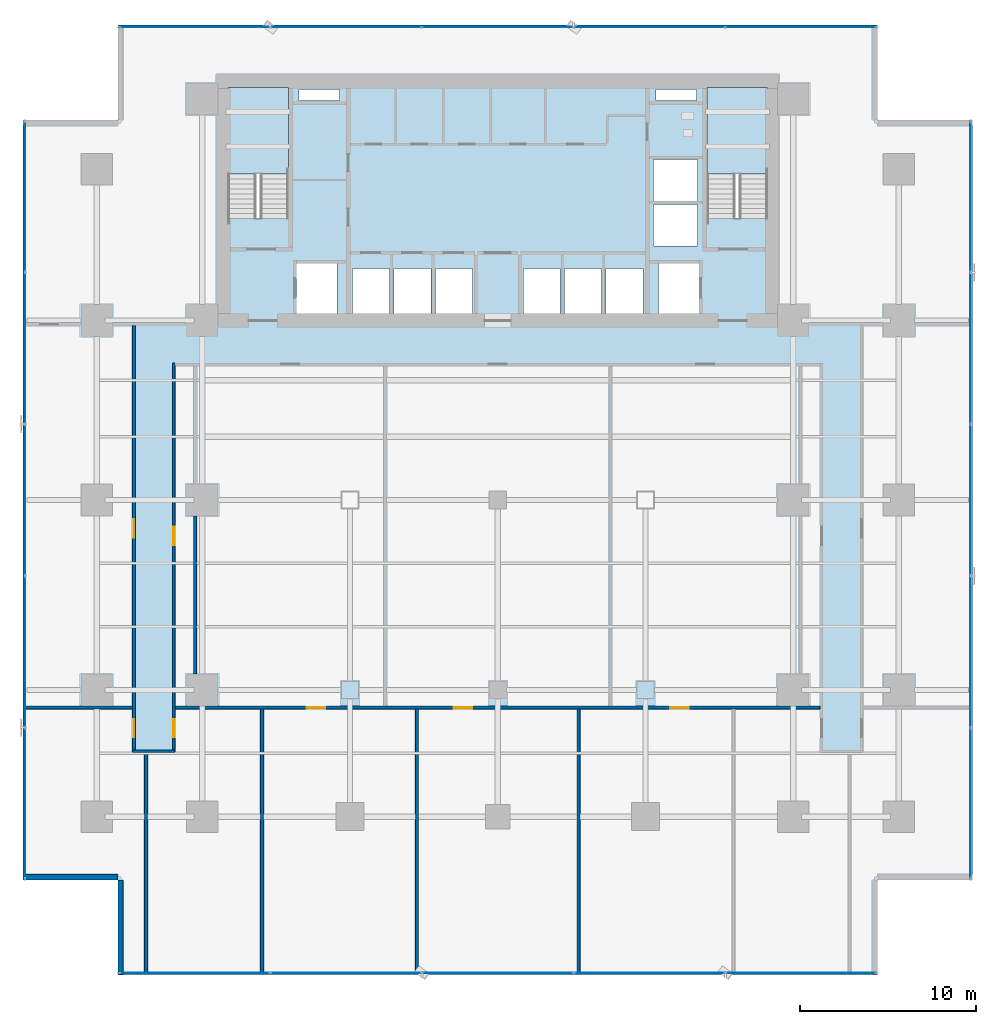
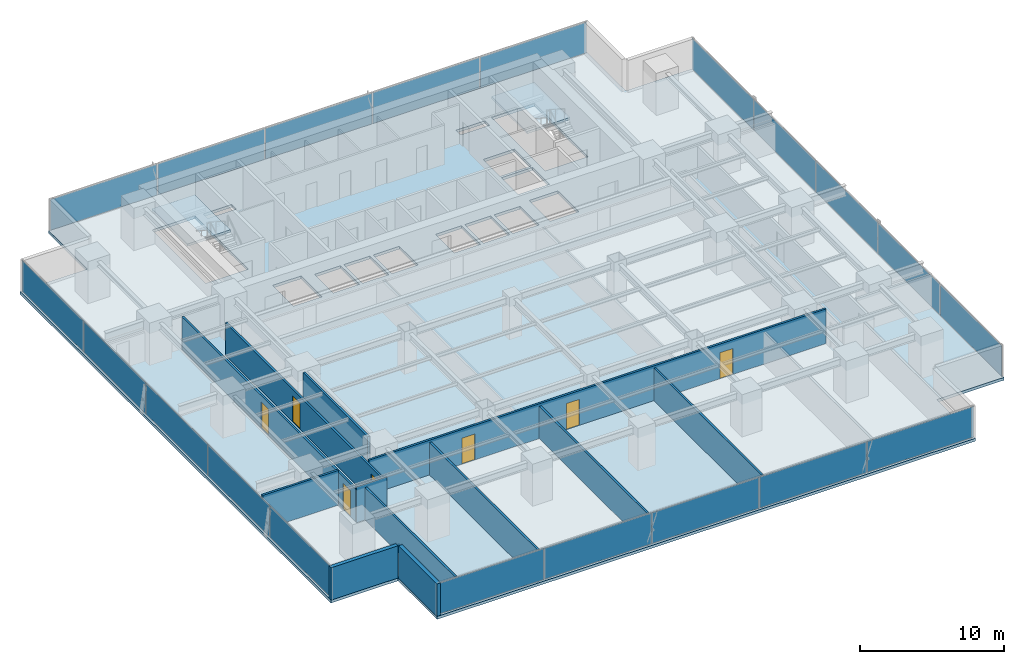
# One storey, part 24 of 34: 20 plates, 12 walls, 7 doors, 3 slabs, 7 openings, 6 elements without a shape of their own.
"""IFC4 building model written with IfcOpenShell, lengths in metres."""

from ifc_helpers import new_model, si_unit, direction, frame, frame_2d, origin, origin_2d, place, context, subcontext, project, spatial, polyline, rectangle, outline, extrude, source, transform, mapped, material, layer, layer_set, type_object, element, fill, aggregate, save


model = new_model("IFC4")

# Units and contexts
model_context = context("Model", 3, precision=1e-05, world=origin(), true_north=direction((0.0, 1.0)))
body_context = subcontext(model_context, "Body", "Model", "MODEL_VIEW")
ifc_project = project(units=[si_unit("LENGTHUNIT", "METRE"), si_unit("AREAUNIT", "SQUARE_METRE"), si_unit("VOLUMEUNIT", "CUBIC_METRE"), si_unit("PLANEANGLEUNIT", "RADIAN"), si_unit("MASSUNIT", "GRAM", prefix="KILO")], contexts=[model_context])

# Site, building, storey
site_placement = place(None, origin())
site = spatial("IfcSite", under=ifc_project, at=site_placement, CompositionType="ELEMENT")
building_placement = place(site_placement, origin())
building = spatial("IfcBuilding", under=site, at=building_placement, Name="Sumidabori Civic Tower", CompositionType="ELEMENT")
storey_placement = place(building_placement, frame((0.0, 0.0, 56.0)))
storey = spatial("IfcBuildingStorey", under=building, at=storey_placement, Name="L14", CompositionType="ELEMENT", Elevation=56.0)

# Stair, slab
ifc_material_1 = material(Name="Concrete C40/50", Category="concrete")
stair_type = type_object("IfcStairType", Name="ST-CORE-1600", PredefinedType="HALF_TURN_STAIR", material=ifc_material_1)
stair_1_placement = place(storey_placement, origin())
stair_1 = element("IfcStair", 1, at=stair_1_placement, inside=storey, type_object=stair_type, Name="L14 ST-1", PredefinedType="HALF_TURN_STAIR")
ifc_layer_1 = layer(ifc_material_1, 0.199951171875, Name="Concrete C40/50")
ifc_layer_set_1 = layer_set([ifc_layer_1], Name="Concrete C40/50")
slab_type_1 = type_object("IfcSlabType", Name="SL-LAND-200", PredefinedType="LANDING", material=ifc_layer_set_1)
slab_1_placement = place(storey_placement, frame((0.0, 0.0, 1.60009765625)))
slab_1 = element("IfcSlab", 2, at=slab_1_placement, type_object=slab_type_1, Name="ST-1 landing 1", PredefinedType="LANDING", context=body_context, shape_type="SweptSolid", body=[
    extrude(outline(polyline([(-11.89990234375, 18.52001953125), (-11.89990234375, 23.449951171875), (-15.340087890625, 23.449951171875), (-15.340087890625, 18.52001953125), (-11.89990234375, 18.52001953125)])), origin(), (0.0, 0.0, 1.0), 0.199951171875),
])
aggregate(stair_1, [slab_1])

stair_2_placement = place(storey_placement, origin())
stair_2 = element("IfcStair", 3, at=stair_2_placement, inside=storey, type_object=stair_type, Name="L14 ST-2", PredefinedType="HALF_TURN_STAIR")
slab_2_placement = place(storey_placement, frame((0.0, 0.0, 1.60009765625)))
slab_2 = element("IfcSlab", 4, at=slab_2_placement, type_object=slab_type_1, Name="ST-2 landing 1", PredefinedType="LANDING", context=body_context, shape_type="SweptSolid", body=[
    extrude(outline(polyline([(15.340087890625, 18.52001953125), (15.340087890625, 23.449951171875), (11.89990234375, 23.449951171875), (11.89990234375, 18.52001953125), (15.340087890625, 18.52001953125)])), origin(), (0.0, 0.0, 1.0), 0.199951171875),
])
aggregate(stair_2, [slab_2])

# Slab
ifc_layer_2 = layer(ifc_material_1, 0.239990234375, Name="Concrete C40/50")
ifc_layer_set_2 = layer_set([ifc_layer_2], Name="Concrete C40/50")
slab_type_2 = type_object("IfcSlabType", Name="SL-Z1-240", PredefinedType="FLOOR", material=ifc_layer_set_2)
slab_3_placement = place(storey_placement, frame((0.0, 0.0, -0.239990234375)))
element("IfcSlab", 5, at=slab_3_placement, inside=storey, type_object=slab_type_2, Name="Structural Slab L14", PredefinedType="FLOOR", context=body_context, shape_type="SweptSolid", body=[
    extrude(outline(polyline([(-21.60009765625, -27.0), (21.60009765625, -27.0), (21.60009765625, -21.60009765625), (27.0, -21.60009765625), (27.0, 21.60009765625), (21.60009765625, 21.60009765625), (21.60009765625, 27.0), (-21.60009765625, 27.0), (-21.60009765625, 21.60009765625), (-27.0, 21.60009765625), (-27.0, -21.60009765625), (-21.60009765625, -21.60009765625), (-21.60009765625, -27.0)]), holes=[polyline([(-11.89990234375, 16.0), (-11.89990234375, 23.449951171875), (-15.340087890625, 23.449951171875), (-15.340087890625, 16.0), (-11.89990234375, 16.0)]), polyline([(15.340087890625, 16.0), (15.340087890625, 23.449951171875), (11.89990234375, 23.449951171875), (11.89990234375, 16.0), (15.340087890625, 16.0)]), polyline([(-11.449951171875, 10.550048828125), (-9.14990234375, 10.550048828125), (-9.14990234375, 13.449951171875), (-11.449951171875, 13.449951171875), (-11.449951171875, 10.550048828125)]), polyline([(9.14990234375, 10.550048828125), (11.449951171875, 10.550048828125), (11.449951171875, 13.449951171875), (9.14990234375, 13.449951171875), (9.14990234375, 10.550048828125)]), polyline([(-8.25, 10.550048828125), (-6.14990234375, 10.550048828125), (-6.14990234375, 13.14990234375), (-8.25, 13.14990234375), (-8.25, 10.550048828125)]), polyline([(-5.89990234375, 10.550048828125), (-3.800048828125, 10.550048828125), (-3.800048828125, 13.14990234375), (-5.89990234375, 13.14990234375), (-5.89990234375, 10.550048828125)]), polyline([(-3.550048828125, 10.550048828125), (-1.449951171875, 10.550048828125), (-1.449951171875, 13.14990234375), (-3.550048828125, 13.14990234375), (-3.550048828125, 10.550048828125)]), polyline([(1.449951171875, 10.550048828125), (3.550048828125, 10.550048828125), (3.550048828125, 13.14990234375), (1.449951171875, 13.14990234375), (1.449951171875, 10.550048828125)]), polyline([(3.800048828125, 10.550048828125), (5.89990234375, 10.550048828125), (5.89990234375, 13.14990234375), (3.800048828125, 13.14990234375), (3.800048828125, 10.550048828125)]), polyline([(6.14990234375, 10.550048828125), (8.25, 10.550048828125), (8.25, 13.14990234375), (6.14990234375, 13.14990234375), (6.14990234375, 10.550048828125)]), polyline([(8.85009765625, 14.449951171875), (11.35009765625, 14.449951171875), (11.35009765625, 16.800048828125), (8.85009765625, 16.800048828125), (8.85009765625, 14.449951171875)]), polyline([(8.85009765625, 17.0), (11.35009765625, 17.0), (11.35009765625, 19.35009765625), (8.85009765625, 19.35009765625), (8.85009765625, 17.0)]), polyline([(-11.300048828125, 22.719970703125), (-9.0, 22.719970703125), (-9.0, 23.35009765625), (-11.300048828125, 23.35009765625), (-11.300048828125, 22.719970703125)]), polyline([(9.0, 22.719970703125), (11.300048828125, 22.719970703125), (11.300048828125, 23.35009765625), (9.0, 23.35009765625), (9.0, 22.719970703125)])]), origin(), (0.0, 0.0, 1.0), 0.239990234375),
])

# Curtain wall, plates
ifc_material_2 = material(Name="Anodised Bronze Aluminium AW-6063-T6", Category="aluminium")
ifc_layer_3 = layer(ifc_material_2, 0.179931640625, Name="Anodised Bronze Aluminium AW-6063-T6")
ifc_layer_set_3 = layer_set([ifc_layer_3], Name="Anodised Bronze Aluminium AW-6063-T6")
curtain_wall_type = type_object("IfcCurtainWallType", Name="CW-SYS-2", PredefinedType="NOTDEFINED", material=ifc_layer_set_3)
curtain_wall_1_placement = place(storey_placement, origin())
curtain_wall_1 = element("IfcCurtainWall", 6, at=curtain_wall_1_placement, inside=storey, type_object=curtain_wall_type, Name="Curtain Wall CW:L14:R01", PredefinedType="NOTDEFINED")
ifc_material_3 = material(Name="Low-E Solar-Control Vision Glazing", Category="glass")
ifc_layer_4 = layer(ifc_material_3, 0.028076171875, Name="Low-E Solar-Control Vision Glazing")
ifc_layer_set_4 = layer_set([ifc_layer_4], Name="Low-E Solar-Control Vision Glazing")
plate_type = type_object("IfcPlateType", Name="CW-PNL-28", PredefinedType="CURTAIN_PANEL", material=ifc_layer_set_4)
shared_shape_1 = source(origin(), body_context, "Body", "SweptSolid", [
    extrude(rectangle(XDim=8.52294921875, YDim=0.028076171875, at=origin_2d()), origin(), (0.0, 0.0, 1.0), 2.610107421875),
])
plate_1_placement = place(storey_placement, frame((-17.238525390625, -26.8798828125, 0.06494140625), z_axis=(0.0, 0.0, 1.0), x_axis=(1.0, 0.0, 0.0)))
plate_1 = element("IfcPlate", 7, at=plate_1_placement, type_object=plate_type, Name="CW-2 panel 1.1", PredefinedType="CURTAIN_PANEL", context=body_context, shape_type="MappedRepresentation", body=[
    mapped(shared_shape_1, transform((0.0, 0.0, 0.0), x_axis=(1.0, 0.0, 0.0), y_axis=(0.0, 1.0, 0.0), z_axis=(0.0, 0.0, 1.0), scale=1.0)),
])
plate_2_placement = place(storey_placement, frame((17.238525390625, -26.8798828125, 0.06494140625), z_axis=(0.0, 0.0, 1.0), x_axis=(1.0, 0.0, 0.0)))
plate_2 = element("IfcPlate", 8, at=plate_2_placement, type_object=plate_type, Name="CW-2 panel 5.1", PredefinedType="CURTAIN_PANEL", context=body_context, shape_type="MappedRepresentation", body=[
    mapped(shared_shape_1, transform((0.0, 0.0, 0.0), x_axis=(1.0, 0.0, 0.0), y_axis=(0.0, 1.0, 0.0), z_axis=(0.0, 0.0, 1.0), scale=1.0)),
])

curtain_wall_2_placement = place(storey_placement, origin())
curtain_wall_2 = element("IfcCurtainWall", 9, at=curtain_wall_2_placement, inside=storey, type_object=curtain_wall_type, Name="Curtain Wall CW:L14:R04", PredefinedType="NOTDEFINED")
plate_3_placement = place(storey_placement, frame((26.8798828125, -17.238525390625, 0.06494140625), z_axis=(0.0, 0.0, 1.0), x_axis=(0.0, 1.0, 0.0)))
plate_3 = element("IfcPlate", 10, at=plate_3_placement, type_object=plate_type, Name="CW-2 panel 1.1", PredefinedType="CURTAIN_PANEL", context=body_context, shape_type="MappedRepresentation", body=[
    mapped(shared_shape_1, transform((0.0, 0.0, 0.0), x_axis=(1.0, 0.0, 0.0), y_axis=(0.0, 1.0, 0.0), z_axis=(0.0, 0.0, 1.0), scale=1.0)),
])
plate_4_placement = place(storey_placement, frame((26.8798828125, 17.238525390625, 0.06494140625), z_axis=(0.0, 0.0, 1.0), x_axis=(0.0, 1.0, 0.0)))
plate_4 = element("IfcPlate", 11, at=plate_4_placement, type_object=plate_type, Name="CW-2 panel 5.1", PredefinedType="CURTAIN_PANEL", context=body_context, shape_type="MappedRepresentation", body=[
    mapped(shared_shape_1, transform((0.0, 0.0, 0.0), x_axis=(1.0, 0.0, 0.0), y_axis=(0.0, 1.0, 0.0), z_axis=(0.0, 0.0, 1.0), scale=1.0)),
])

curtain_wall_3_placement = place(storey_placement, origin())
curtain_wall_3 = element("IfcCurtainWall", 12, at=curtain_wall_3_placement, inside=storey, type_object=curtain_wall_type, Name="Curtain Wall CW:L14:R07", PredefinedType="NOTDEFINED")
plate_5_placement = place(storey_placement, frame((17.238525390625, 26.8798828125, 0.06494140625), z_axis=(0.0, 0.0, 1.0), x_axis=(-1.0, 0.0, 0.0)))
plate_5 = element("IfcPlate", 13, at=plate_5_placement, type_object=plate_type, Name="CW-2 panel 1.1", PredefinedType="CURTAIN_PANEL", context=body_context, shape_type="MappedRepresentation", body=[
    mapped(shared_shape_1, transform((0.0, 0.0, 0.0), x_axis=(1.0, 0.0, 0.0), y_axis=(0.0, 1.0, 0.0), z_axis=(0.0, 0.0, 1.0), scale=1.0)),
])
plate_6_placement = place(storey_placement, frame((-17.238525390625, 26.8798828125, 0.06494140625), z_axis=(0.0, 0.0, 1.0), x_axis=(-1.0, 0.0, 0.0)))
plate_6 = element("IfcPlate", 14, at=plate_6_placement, type_object=plate_type, Name="CW-2 panel 5.1", PredefinedType="CURTAIN_PANEL", context=body_context, shape_type="MappedRepresentation", body=[
    mapped(shared_shape_1, transform((0.0, 0.0, 0.0), x_axis=(1.0, 0.0, 0.0), y_axis=(0.0, 1.0, 0.0), z_axis=(0.0, 0.0, 1.0), scale=1.0)),
])

curtain_wall_4_placement = place(storey_placement, origin())
curtain_wall_4 = element("IfcCurtainWall", 15, at=curtain_wall_4_placement, inside=storey, type_object=curtain_wall_type, Name="Curtain Wall CW:L14:R10", PredefinedType="NOTDEFINED")
plate_7_placement = place(storey_placement, frame((-26.8798828125, 17.238525390625, 0.06494140625), z_axis=(0.0, 0.0, 1.0), x_axis=(0.0, -1.0, 0.0)))
plate_7 = element("IfcPlate", 16, at=plate_7_placement, type_object=plate_type, Name="CW-2 panel 1.1", PredefinedType="CURTAIN_PANEL", context=body_context, shape_type="MappedRepresentation", body=[
    mapped(shared_shape_1, transform((0.0, 0.0, 0.0), x_axis=(1.0, 0.0, 0.0), y_axis=(0.0, 1.0, 0.0), z_axis=(0.0, 0.0, 1.0), scale=1.0)),
])
plate_8_placement = place(storey_placement, frame((-26.8798828125, -17.238525390625, 0.06494140625), z_axis=(0.0, 0.0, 1.0), x_axis=(0.0, -1.0, 0.0)))
plate_8 = element("IfcPlate", 17, at=plate_8_placement, type_object=plate_type, Name="CW-2 panel 5.1", PredefinedType="CURTAIN_PANEL", context=body_context, shape_type="MappedRepresentation", body=[
    mapped(shared_shape_1, transform((0.0, 0.0, 0.0), x_axis=(1.0, 0.0, 0.0), y_axis=(0.0, 1.0, 0.0), z_axis=(0.0, 0.0, 1.0), scale=1.0)),
])

# Plate
shared_shape_2 = source(origin(), body_context, "Body", "SweptSolid", [
    extrude(rectangle(XDim=8.55810546875, YDim=0.028076171875, at=origin_2d()), origin(), (0.0, 0.0, 1.0), 2.610107421875),
])
plate_9_placement = place(storey_placement, frame((-8.6279296875, -26.8798828125, 0.06494140625), z_axis=(0.0, 0.0, 1.0), x_axis=(1.0, 0.0, 0.0)))
plate_9 = element("IfcPlate", 18, at=plate_9_placement, type_object=plate_type, Name="CW-2 panel 2.1", PredefinedType="CURTAIN_PANEL", context=body_context, shape_type="MappedRepresentation", body=[
    mapped(shared_shape_2, transform((0.0, 0.0, 0.0), x_axis=(1.0, 0.0, 0.0), y_axis=(0.0, 1.0, 0.0), z_axis=(0.0, 0.0, 1.0), scale=1.0)),
])

plate_10_placement = place(storey_placement, frame((0.0, -26.8798828125, 0.06494140625), z_axis=(0.0, 0.0, 1.0), x_axis=(1.0, 0.0, 0.0)))
plate_10 = element("IfcPlate", 19, at=plate_10_placement, type_object=plate_type, Name="CW-2 panel 3.1", PredefinedType="CURTAIN_PANEL", context=body_context, shape_type="MappedRepresentation", body=[
    mapped(shared_shape_2, transform((0.0, 0.0, 0.0), x_axis=(1.0, 0.0, 0.0), y_axis=(0.0, 1.0, 0.0), z_axis=(0.0, 0.0, 1.0), scale=1.0)),
])

plate_11_placement = place(storey_placement, frame((8.6279296875, -26.8798828125, 0.06494140625), z_axis=(0.0, 0.0, 1.0), x_axis=(1.0, 0.0, 0.0)))
plate_11 = element("IfcPlate", 20, at=plate_11_placement, type_object=plate_type, Name="CW-2 panel 4.1", PredefinedType="CURTAIN_PANEL", context=body_context, shape_type="MappedRepresentation", body=[
    mapped(shared_shape_2, transform((0.0, 0.0, 0.0), x_axis=(1.0, 0.0, 0.0), y_axis=(0.0, 1.0, 0.0), z_axis=(0.0, 0.0, 1.0), scale=1.0)),
])

aggregate(curtain_wall_1, [plate_1, plate_9, plate_10, plate_11, plate_2])

plate_12_placement = place(storey_placement, frame((26.8798828125, -8.6279296875, 0.06494140625), z_axis=(0.0, 0.0, 1.0), x_axis=(0.0, 1.0, 0.0)))
plate_12 = element("IfcPlate", 21, at=plate_12_placement, type_object=plate_type, Name="CW-2 panel 2.1", PredefinedType="CURTAIN_PANEL", context=body_context, shape_type="MappedRepresentation", body=[
    mapped(shared_shape_2, transform((0.0, 0.0, 0.0), x_axis=(1.0, 0.0, 0.0), y_axis=(0.0, 1.0, 0.0), z_axis=(0.0, 0.0, 1.0), scale=1.0)),
])

plate_13_placement = place(storey_placement, frame((26.8798828125, 0.0, 0.06494140625), z_axis=(0.0, 0.0, 1.0), x_axis=(0.0, 1.0, 0.0)))
plate_13 = element("IfcPlate", 22, at=plate_13_placement, type_object=plate_type, Name="CW-2 panel 3.1", PredefinedType="CURTAIN_PANEL", context=body_context, shape_type="MappedRepresentation", body=[
    mapped(shared_shape_2, transform((0.0, 0.0, 0.0), x_axis=(1.0, 0.0, 0.0), y_axis=(0.0, 1.0, 0.0), z_axis=(0.0, 0.0, 1.0), scale=1.0)),
])

plate_14_placement = place(storey_placement, frame((26.8798828125, 8.6279296875, 0.06494140625), z_axis=(0.0, 0.0, 1.0), x_axis=(0.0, 1.0, 0.0)))
plate_14 = element("IfcPlate", 23, at=plate_14_placement, type_object=plate_type, Name="CW-2 panel 4.1", PredefinedType="CURTAIN_PANEL", context=body_context, shape_type="MappedRepresentation", body=[
    mapped(shared_shape_2, transform((0.0, 0.0, 0.0), x_axis=(1.0, 0.0, 0.0), y_axis=(0.0, 1.0, 0.0), z_axis=(0.0, 0.0, 1.0), scale=1.0)),
])

aggregate(curtain_wall_2, [plate_3, plate_12, plate_13, plate_14, plate_4])

plate_15_placement = place(storey_placement, frame((8.6279296875, 26.8798828125, 0.06494140625), z_axis=(0.0, 0.0, 1.0), x_axis=(-1.0, 0.0, 0.0)))
plate_15 = element("IfcPlate", 24, at=plate_15_placement, type_object=plate_type, Name="CW-2 panel 2.1", PredefinedType="CURTAIN_PANEL", context=body_context, shape_type="MappedRepresentation", body=[
    mapped(shared_shape_2, transform((0.0, 0.0, 0.0), x_axis=(1.0, 0.0, 0.0), y_axis=(0.0, 1.0, 0.0), z_axis=(0.0, 0.0, 1.0), scale=1.0)),
])

plate_16_placement = place(storey_placement, frame((0.0, 26.8798828125, 0.06494140625), z_axis=(0.0, 0.0, 1.0), x_axis=(-1.0, 0.0, 0.0)))
plate_16 = element("IfcPlate", 25, at=plate_16_placement, type_object=plate_type, Name="CW-2 panel 3.1", PredefinedType="CURTAIN_PANEL", context=body_context, shape_type="MappedRepresentation", body=[
    mapped(shared_shape_2, transform((0.0, 0.0, 0.0), x_axis=(1.0, 0.0, 0.0), y_axis=(0.0, 1.0, 0.0), z_axis=(0.0, 0.0, 1.0), scale=1.0)),
])

plate_17_placement = place(storey_placement, frame((-8.6279296875, 26.8798828125, 0.06494140625), z_axis=(0.0, 0.0, 1.0), x_axis=(-1.0, 0.0, 0.0)))
plate_17 = element("IfcPlate", 26, at=plate_17_placement, type_object=plate_type, Name="CW-2 panel 4.1", PredefinedType="CURTAIN_PANEL", context=body_context, shape_type="MappedRepresentation", body=[
    mapped(shared_shape_2, transform((0.0, 0.0, 0.0), x_axis=(1.0, 0.0, 0.0), y_axis=(0.0, 1.0, 0.0), z_axis=(0.0, 0.0, 1.0), scale=1.0)),
])

aggregate(curtain_wall_3, [plate_5, plate_15, plate_16, plate_17, plate_6])

plate_18_placement = place(storey_placement, frame((-26.8798828125, 8.6279296875, 0.06494140625), z_axis=(0.0, 0.0, 1.0), x_axis=(0.0, -1.0, 0.0)))
plate_18 = element("IfcPlate", 27, at=plate_18_placement, type_object=plate_type, Name="CW-2 panel 2.1", PredefinedType="CURTAIN_PANEL", context=body_context, shape_type="MappedRepresentation", body=[
    mapped(shared_shape_2, transform((0.0, 0.0, 0.0), x_axis=(1.0, 0.0, 0.0), y_axis=(0.0, 1.0, 0.0), z_axis=(0.0, 0.0, 1.0), scale=1.0)),
])

plate_19_placement = place(storey_placement, frame((-26.8798828125, 0.0, 0.06494140625), z_axis=(0.0, 0.0, 1.0), x_axis=(0.0, -1.0, 0.0)))
plate_19 = element("IfcPlate", 28, at=plate_19_placement, type_object=plate_type, Name="CW-2 panel 3.1", PredefinedType="CURTAIN_PANEL", context=body_context, shape_type="MappedRepresentation", body=[
    mapped(shared_shape_2, transform((0.0, 0.0, 0.0), x_axis=(1.0, 0.0, 0.0), y_axis=(0.0, 1.0, 0.0), z_axis=(0.0, 0.0, 1.0), scale=1.0)),
])

plate_20_placement = place(storey_placement, frame((-26.8798828125, -8.6279296875, 0.06494140625), z_axis=(0.0, 0.0, 1.0), x_axis=(0.0, -1.0, 0.0)))
plate_20 = element("IfcPlate", 29, at=plate_20_placement, type_object=plate_type, Name="CW-2 panel 4.1", PredefinedType="CURTAIN_PANEL", context=body_context, shape_type="MappedRepresentation", body=[
    mapped(shared_shape_2, transform((0.0, 0.0, 0.0), x_axis=(1.0, 0.0, 0.0), y_axis=(0.0, 1.0, 0.0), z_axis=(0.0, 0.0, 1.0), scale=1.0)),
])

aggregate(curtain_wall_4, [plate_7, plate_18, plate_19, plate_20, plate_8])

# Walls
ifc_material_4 = material(Name="Precast concrete C40/50", Category="concrete")
ifc_layer_5 = layer(ifc_material_4, 0.300048828125, Name="Precast concrete C40/50")
ifc_layer_set_5 = layer_set([ifc_layer_5], Name="Precast concrete C40/50")
wall_type_1 = type_object("IfcWallType", Name="WL-EXT-POD300", PredefinedType="STANDARD", material=ifc_layer_set_5)
shared_shape_3 = source(origin(), body_context, "Body", "SweptSolid", [
    extrude(rectangle(XDim=5.35986328125, YDim=0.300048828125, at=frame_2d((2.679931640625, 0.0))), origin(), (0.0, 0.0, 1.0), 2.739990234375),
])
for number, where, z_axis, x_axis, name in (
    (30, (-26.97998046875, -21.449951171875, 0.0), (0.0, 0.0, 1.0), (1.0, 0.0, 0.0), "Notched Corner Spandrel Band L14-11"),
    (31, (-21.449951171875, -21.6201171875, 0.0), (0.0, 0.0, 1.0), (0.0, -1.0, 0.0), "Notched Corner Spandrel Band L14-12"),
):
    element("IfcWall", number, at=place(storey_placement, frame(where, z_axis=z_axis, x_axis=x_axis)), inside=storey, type_object=wall_type_1, Name=name, PredefinedType="STANDARD", context=body_context, shape_type="MappedRepresentation", body=[
        mapped(shared_shape_3, transform((0.0, 0.0, 0.0), x_axis=(1.0, 0.0, 0.0), y_axis=(0.0, 1.0, 0.0), z_axis=(0.0, 0.0, 1.0), scale=1.0)),
    ])
ifc_material_5 = material(Name="Gypsum Plasterboard Acoustic Partition")
ifc_layer_6 = layer(ifc_material_5, 0.1650390625, Name="Gypsum Plasterboard Acoustic Partition")
ifc_layer_set_6 = layer_set([ifc_layer_6], Name="Gypsum Plasterboard Acoustic Partition")
wall_type_2 = type_object("IfcWallType", Name="WL-PART-165", PredefinedType="PARTITIONING", material=ifc_layer_set_6)
shared_shape_4 = source(origin(), body_context, "Body", "SweptSolid", [
    extrude(rectangle(XDim=2.429931640625, YDim=0.1650390625, at=frame_2d((1.21484375, 0.0))), origin(), (0.0, 0.0, 1.0), 3.044921875),
])
wall_1_placement = place(storey_placement, frame((-20.764892578125, -14.282470703125, 0.0), z_axis=(0.0, 0.0, 1.0), x_axis=(1.0, 0.0, 0.0)))
element("IfcWall", 32, at=wall_1_placement, inside=storey, type_object=wall_type_2, Name="Interior Partition WL:L14:CORR-CAP-W", PredefinedType="PARTITIONING", context=body_context, shape_type="MappedRepresentation", body=[
    mapped(shared_shape_4, transform((0.0, 0.0, 0.0), x_axis=(1.0, 0.0, 0.0), y_axis=(0.0, 1.0, 0.0), z_axis=(0.0, 0.0, 1.0), scale=1.0)),
])

# Wall, openings, doors
shared_shape_5 = source(origin(), body_context, "Body", "SweptSolid", [
    extrude(rectangle(XDim=24.107666015625, YDim=0.1650390625, at=frame_2d((12.0537109375, 0.0))), origin(), (0.0, 0.0, 1.0), 2.7451171875),
])
wall_2_placement = place(storey_placement, frame((-20.6826171875, -14.195068359375, 0.0), z_axis=(0.0, 0.0, 1.0), x_axis=(0.0, 1.0, 0.0)))
wall_2 = element("IfcWall", 33, at=wall_2_placement, inside=storey, type_object=wall_type_2, Name="Interior Partition WL:L14:CORR-VW-OUT", PredefinedType="PARTITIONING", context=body_context, shape_type="MappedRepresentation", body=[
    mapped(shared_shape_5, transform((0.0, 0.0, 0.0), x_axis=(1.0, 0.0, 0.0), y_axis=(0.0, 1.0, 0.0), z_axis=(0.0, 0.0, 1.0), scale=1.0)),
])
opening_1_placement = place(wall_2_placement, frame((12.052490234375, 0.0, 0.0)))
opening_1 = element("IfcOpeningElement", 34, at=opening_1_placement, cuts=wall_2, Name="Opening DR-4", PredefinedType="OPENING", context=body_context, shape_type="SweptSolid", body=[
    extrude(rectangle(XDim=1.0400390625, YDim=2.199951171875, at=frame_2d((0.52001953125, 1.10009765625))), frame((0.0, 0.094482421875, 0.0), z_axis=(0.0, -1.0, 0.0), x_axis=(1.0, 0.0, 0.0)), (0.0, 0.0, 1.0), 0.18896484375),
])
opening_2_placement = place(wall_2_placement, frame((0.6962890625, 0.0, 0.0)))
opening_2 = element("IfcOpeningElement", 35, at=opening_2_placement, cuts=wall_2, Name="Opening DR-4", PredefinedType="OPENING", context=body_context, shape_type="SweptSolid", body=[
    extrude(rectangle(XDim=1.0400390625, YDim=2.199951171875, at=frame_2d((0.52001953125, 1.10009765625))), frame((0.0, 0.094482421875, 0.0), z_axis=(0.0, -1.0, 0.0), x_axis=(1.0, 0.0, 0.0)), (0.0, 0.0, 1.0), 0.18896484375),
])
ifc_material_6 = material(Name="Japanese Hinoki Timber", Category="wood")
door_type = type_object("IfcDoorType", Name="DR-INT-1040", OperationType="NOTDEFINED", PredefinedType="DOOR", material=ifc_material_6)
shared_shape_6 = source(origin(), body_context, "Body", "SweptSolid", [
    extrude(rectangle(XDim=1.0400390625, YDim=2.199951171875, at=frame_2d((0.52001953125, 1.10009765625))), frame((0.0, 0.02490234375, 0.0), z_axis=(0.0, -1.0, 0.0), x_axis=(1.0, 0.0, 0.0)), (0.0, 0.0, 1.0), 0.050048828125),
])
door_1_placement = place(opening_1_placement, origin())
door_1 = element("IfcDoor", 36, at=door_1_placement, inside=storey, type_object=door_type, Name="Door DR:L14:D01", OperationType="SINGLE_SWING_LEFT", OverallHeight=2.199951171875, OverallWidth=1.0400390625, PredefinedType="DOOR", context=body_context, shape_type="MappedRepresentation", body=[
    mapped(shared_shape_6, transform((0.0, 0.0, 0.0), x_axis=(1.0, 0.0, 0.0), y_axis=(0.0, 1.0, 0.0), z_axis=(0.0, 0.0, 1.0), scale=1.0)),
])
fill(opening_1, door_1)
door_2_placement = place(opening_2_placement, origin())
door_2 = element("IfcDoor", 37, at=door_2_placement, inside=storey, type_object=door_type, Name="Door DR:L14:D08", OperationType="SINGLE_SWING_RIGHT", OverallHeight=2.199951171875, OverallWidth=1.0400390625, PredefinedType="DOOR", context=body_context, shape_type="MappedRepresentation", body=[
    mapped(shared_shape_6, transform((0.0, 0.0, 0.0), x_axis=(1.0, 0.0, 0.0), y_axis=(0.0, 1.0, 0.0), z_axis=(0.0, 0.0, 1.0), scale=1.0)),
])
fill(opening_2, door_2)

shared_shape_7 = source(origin(), body_context, "Body", "SweptSolid", [
    extrude(rectangle(XDim=21.9951171875, YDim=0.1650390625, at=frame_2d((10.99755859375, 0.0))), origin(), (0.0, 0.0, 1.0), 2.7451171875),
])
wall_3_placement = place(storey_placement, frame((-18.41748046875, -14.195068359375, 0.0), z_axis=(0.0, 0.0, 1.0), x_axis=(0.0, 1.0, 0.0)))
wall_3 = element("IfcWall", 38, at=wall_3_placement, inside=storey, type_object=wall_type_2, Name="Interior Partition WL:L14:CORR-VW-IN", PredefinedType="PARTITIONING", context=body_context, shape_type="MappedRepresentation", body=[
    mapped(shared_shape_7, transform((0.0, 0.0, 0.0), x_axis=(1.0, 0.0, 0.0), y_axis=(0.0, 1.0, 0.0), z_axis=(0.0, 0.0, 1.0), scale=1.0)),
])
opening_3_placement = place(wall_3_placement, frame((11.6337890625, 0.0, 0.0)))
opening_3 = element("IfcOpeningElement", 39, at=opening_3_placement, cuts=wall_3, Name="Opening DR-4", PredefinedType="OPENING", context=body_context, shape_type="SweptSolid", body=[
    extrude(rectangle(XDim=1.0400390625, YDim=2.199951171875, at=frame_2d((0.52001953125, 1.10009765625))), frame((0.0, 0.094482421875, 0.0), z_axis=(0.0, -1.0, 0.0), x_axis=(1.0, 0.0, 0.0)), (0.0, 0.0, 1.0), 0.18896484375),
])
opening_4_placement = place(wall_3_placement, frame((0.6962890625, 0.0, 0.0)))
opening_4 = element("IfcOpeningElement", 40, at=opening_4_placement, cuts=wall_3, Name="Opening DR-4", PredefinedType="OPENING", context=body_context, shape_type="SweptSolid", body=[
    extrude(rectangle(XDim=1.0400390625, YDim=2.199951171875, at=frame_2d((0.52001953125, 1.10009765625))), frame((0.0, 0.094482421875, 0.0), z_axis=(0.0, -1.0, 0.0), x_axis=(1.0, 0.0, 0.0)), (0.0, 0.0, 1.0), 0.18896484375),
])
door_3_placement = place(opening_3_placement, origin())
door_3 = element("IfcDoor", 41, at=door_3_placement, inside=storey, type_object=door_type, Name="Door DR:L14:D03", OperationType="SINGLE_SWING_LEFT", OverallHeight=2.199951171875, OverallWidth=1.0400390625, PredefinedType="DOOR", context=body_context, shape_type="MappedRepresentation", body=[
    mapped(shared_shape_6, transform((0.0, 0.0, 0.0), x_axis=(1.0, 0.0, 0.0), y_axis=(0.0, 1.0, 0.0), z_axis=(0.0, 0.0, 1.0), scale=1.0)),
])
fill(opening_3, door_3)
door_4_placement = place(opening_4_placement, origin())
door_4 = element("IfcDoor", 42, at=door_4_placement, inside=storey, type_object=door_type, Name="Door DR:L14:D10", OperationType="SINGLE_SWING_RIGHT", OverallHeight=2.199951171875, OverallWidth=1.0400390625, PredefinedType="DOOR", context=body_context, shape_type="MappedRepresentation", body=[
    mapped(shared_shape_6, transform((0.0, 0.0, 0.0), x_axis=(1.0, 0.0, 0.0), y_axis=(0.0, 1.0, 0.0), z_axis=(0.0, 0.0, 1.0), scale=1.0)),
])
fill(opening_4, door_4)

# Wall
shared_shape_8 = source(origin(), body_context, "Body", "SweptSolid", [
    extrude(rectangle(XDim=6.080078125, YDim=0.1650390625, at=frame_2d((3.0400390625, 0.0))), origin(), (0.0, 0.0, 1.0), 2.945068359375),
])
wall_4_placement = place(storey_placement, frame((-26.85009765625, -11.800048828125, 0.0), z_axis=(0.0, 0.0, 1.0), x_axis=(1.0, 0.0, 0.0)))
element("IfcWall", 43, at=wall_4_placement, inside=storey, type_object=wall_type_2, Name="Interior Partition WL:L14:BAND-Y-1", PredefinedType="PARTITIONING", context=body_context, shape_type="MappedRepresentation", body=[
    mapped(shared_shape_8, transform((0.0, 0.0, 0.0), x_axis=(1.0, 0.0, 0.0), y_axis=(0.0, 1.0, 0.0), z_axis=(0.0, 0.0, 1.0), scale=1.0)),
])

# Wall, openings, doors
shared_shape_9 = source(origin(), body_context, "Body", "SweptSolid", [
    extrude(rectangle(XDim=36.66015625, YDim=0.1650390625, at=frame_2d((18.330078125, 0.0))), origin(), (0.0, 0.0, 1.0), 2.945068359375),
])
wall_5_placement = place(storey_placement, frame((-18.330078125, -11.800048828125, 0.0), z_axis=(0.0, 0.0, 1.0), x_axis=(1.0, 0.0, 0.0)))
wall_5 = element("IfcWall", 44, at=wall_5_placement, inside=storey, type_object=wall_type_2, Name="Interior Partition WL:L14:BAND-Y-2", PredefinedType="PARTITIONING", context=body_context, shape_type="MappedRepresentation", body=[
    mapped(shared_shape_9, transform((0.0, 0.0, 0.0), x_axis=(1.0, 0.0, 0.0), y_axis=(0.0, 1.0, 0.0), z_axis=(0.0, 0.0, 1.0), scale=1.0)),
])
opening_5_placement = place(wall_5_placement, frame((7.469970703125, 0.0, 0.0)))
opening_5 = element("IfcOpeningElement", 45, at=opening_5_placement, cuts=wall_5, Name="Opening DR-4", PredefinedType="OPENING", context=body_context, shape_type="SweptSolid", body=[
    extrude(rectangle(XDim=1.0400390625, YDim=2.199951171875, at=frame_2d((0.52001953125, 1.10009765625))), frame((0.0, 0.094482421875, 0.0), z_axis=(0.0, -1.0, 0.0), x_axis=(1.0, 0.0, 0.0)), (0.0, 0.0, 1.0), 0.18896484375),
])
opening_6_placement = place(wall_5_placement, frame((15.830078125, 0.0, 0.0)))
opening_6 = element("IfcOpeningElement", 46, at=opening_6_placement, cuts=wall_5, Name="Opening DR-4", PredefinedType="OPENING", context=body_context, shape_type="SweptSolid", body=[
    extrude(rectangle(XDim=1.0400390625, YDim=2.199951171875, at=frame_2d((0.52001953125, 1.10009765625))), frame((0.0, 0.094482421875, 0.0), z_axis=(0.0, -1.0, 0.0), x_axis=(1.0, 0.0, 0.0)), (0.0, 0.0, 1.0), 0.18896484375),
])
opening_7_placement = place(wall_5_placement, frame((28.14990234375, 0.0, 0.0)))
opening_7 = element("IfcOpeningElement", 47, at=opening_7_placement, cuts=wall_5, Name="Opening DR-4", PredefinedType="OPENING", context=body_context, shape_type="SweptSolid", body=[
    extrude(rectangle(XDim=1.0400390625, YDim=2.199951171875, at=frame_2d((0.52001953125, 1.10009765625))), frame((0.0, 0.094482421875, 0.0), z_axis=(0.0, -1.0, 0.0), x_axis=(1.0, 0.0, 0.0)), (0.0, 0.0, 1.0), 0.18896484375),
])
door_5_placement = place(opening_5_placement, origin())
door_5 = element("IfcDoor", 48, at=door_5_placement, inside=storey, type_object=door_type, Name="Door DR:L14:D13", OperationType="SINGLE_SWING_LEFT", OverallHeight=2.199951171875, OverallWidth=1.0400390625, PredefinedType="DOOR", context=body_context, shape_type="MappedRepresentation", body=[
    mapped(shared_shape_6, transform((0.0, 0.0, 0.0), x_axis=(1.0, 0.0, 0.0), y_axis=(0.0, 1.0, 0.0), z_axis=(0.0, 0.0, 1.0), scale=1.0)),
])
fill(opening_5, door_5)
door_6_placement = place(opening_6_placement, origin())
door_6 = element("IfcDoor", 49, at=door_6_placement, inside=storey, type_object=door_type, Name="Door DR:L14:D14", OperationType="SINGLE_SWING_RIGHT", OverallHeight=2.199951171875, OverallWidth=1.0400390625, PredefinedType="DOOR", context=body_context, shape_type="MappedRepresentation", body=[
    mapped(shared_shape_6, transform((0.0, 0.0, 0.0), x_axis=(1.0, 0.0, 0.0), y_axis=(0.0, 1.0, 0.0), z_axis=(0.0, 0.0, 1.0), scale=1.0)),
])
fill(opening_6, door_6)
door_7_placement = place(opening_7_placement, origin())
door_7 = element("IfcDoor", 50, at=door_7_placement, inside=storey, type_object=door_type, Name="Door DR:L14:D15", OperationType="SINGLE_SWING_LEFT", OverallHeight=2.199951171875, OverallWidth=1.0400390625, PredefinedType="DOOR", context=body_context, shape_type="MappedRepresentation", body=[
    mapped(shared_shape_6, transform((0.0, 0.0, 0.0), x_axis=(1.0, 0.0, 0.0), y_axis=(0.0, 1.0, 0.0), z_axis=(0.0, 0.0, 1.0), scale=1.0)),
])
fill(opening_7, door_7)

# Walls
shared_shape_10 = source(origin(), body_context, "Body", "SweptSolid", [
    extrude(rectangle(XDim=8.97998046875, YDim=0.1650390625, at=frame_2d((4.489990234375, 0.0))), origin(), (0.0, 0.0, 1.0), 3.360107421875),
])
wall_6_placement = place(storey_placement, frame((-17.199951171875, -9.889892578125, 0.0), z_axis=(0.0, 0.0, 1.0), x_axis=(0.0, 1.0, 0.0)))
element("IfcWall", 51, at=wall_6_placement, inside=storey, type_object=wall_type_2, Name="Interior Partition WL:L14:VX-N1-1", PredefinedType="PARTITIONING", context=body_context, shape_type="MappedRepresentation", body=[
    mapped(shared_shape_10, transform((0.0, 0.0, 0.0), x_axis=(1.0, 0.0, 0.0), y_axis=(0.0, 1.0, 0.0), z_axis=(0.0, 0.0, 1.0), scale=1.0)),
])
shared_shape_11 = source(origin(), body_context, "Body", "SweptSolid", [
    extrude(rectangle(XDim=12.47998046875, YDim=0.1650390625, at=frame_2d((6.239990234375, 0.0))), origin(), (0.0, 0.0, 1.0), 2.7451171875),
])
wall_7_placement = place(storey_placement, frame((-20.0, -26.85009765625, 0.0), z_axis=(0.0, 0.0, 1.0), x_axis=(0.0, 1.0, 0.0)))
element("IfcWall", 52, at=wall_7_placement, inside=storey, type_object=wall_type_2, Name="Interior Partition WL:L14:VX-S1", PredefinedType="PARTITIONING", context=body_context, shape_type="MappedRepresentation", body=[
    mapped(shared_shape_11, transform((0.0, 0.0, 0.0), x_axis=(1.0, 0.0, 0.0), y_axis=(0.0, 1.0, 0.0), z_axis=(0.0, 0.0, 1.0), scale=1.0)),
])
shared_shape_12 = source(origin(), body_context, "Body", "SweptSolid", [
    extrude(rectangle(XDim=14.962646484375, YDim=0.1650390625, at=frame_2d((7.4814453125, 0.0))), origin(), (0.0, 0.0, 1.0), 2.7451171875),
])
for number, where, z_axis, x_axis, name in (
    (53, (-13.39990234375, -26.85009765625, 0.0), (0.0, 0.0, 1.0), (0.0, 1.0, 0.0), "Interior Partition WL:L14:VX-S2"),
    (54, (-4.60009765625, -26.85009765625, 0.0), (0.0, 0.0, 1.0), (0.0, 1.0, 0.0), "Interior Partition WL:L14:VX-S3"),
    (55, (4.60009765625, -26.85009765625, 0.0), (0.0, 0.0, 1.0), (0.0, 1.0, 0.0), "Interior Partition WL:L14:VX-S4"),
):
    element("IfcWall", number, at=place(storey_placement, frame(where, z_axis=z_axis, x_axis=x_axis)), inside=storey, type_object=wall_type_2, Name=name, PredefinedType="PARTITIONING", context=body_context, shape_type="MappedRepresentation", body=[
        mapped(shared_shape_12, transform((0.0, 0.0, 0.0), x_axis=(1.0, 0.0, 0.0), y_axis=(0.0, 1.0, 0.0), z_axis=(0.0, 0.0, 1.0), scale=1.0)),
    ])

save(model, "model.ifc")
